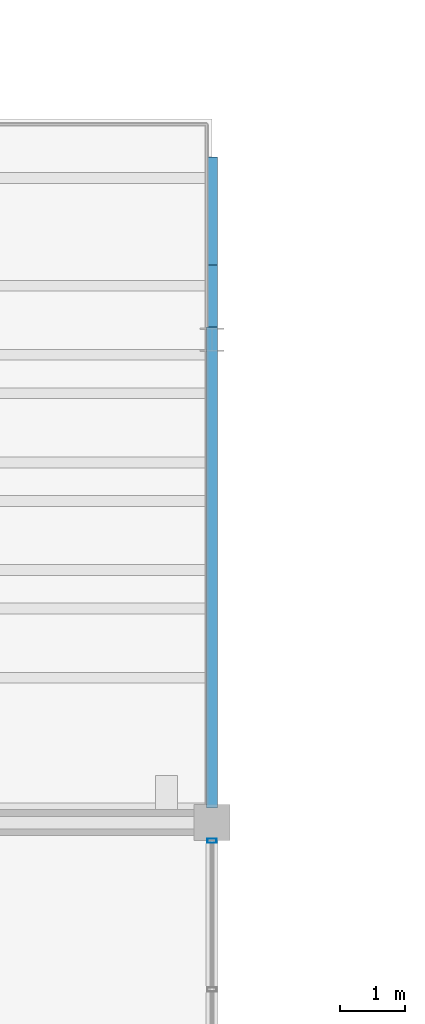
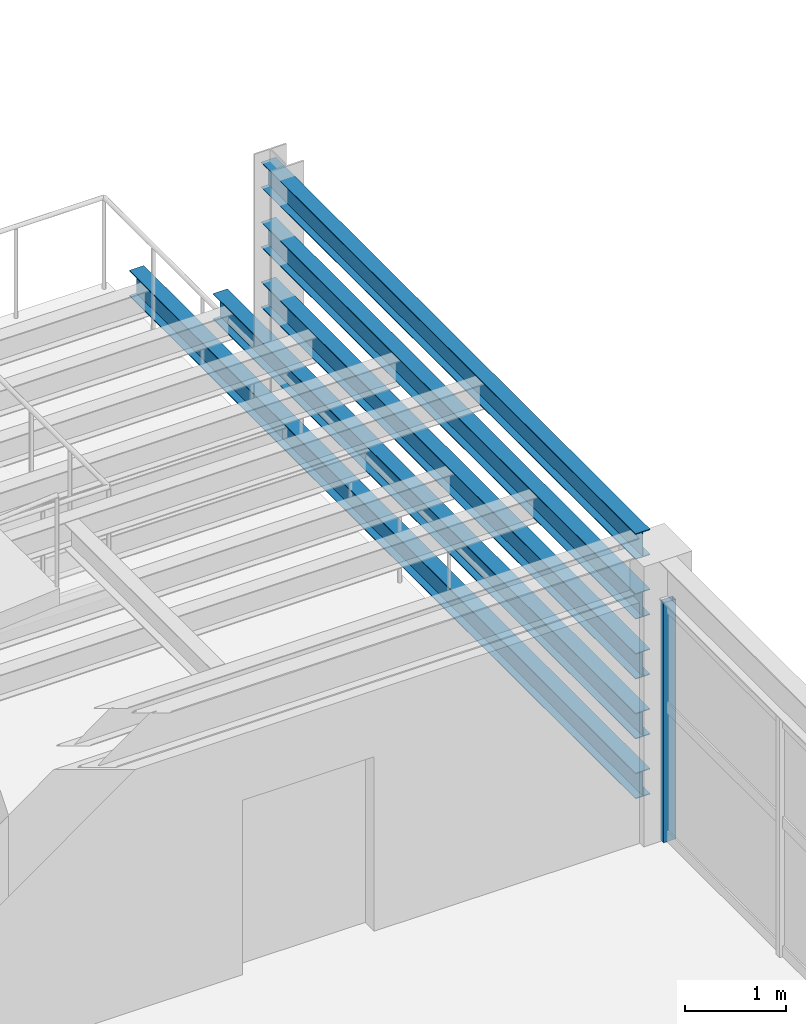
# One storey, part 91 of 121: 5 beams, 1 member, 1 element without a shape of its own.
"""IFC4 building model written with IfcOpenShell, lengths in metres."""

import ifcopenshell
import ifcopenshell.guid

model = None  # the IFC model being written
_history = None  # IfcOwnerHistory: only IFC2X3 demands one
_inside = {}  # id of a spatial element -> (the spatial element, [elements in it])
_under = {}  # id of a project, library or spatial element -> (it, [spatial elements below it])
_declared = {}  # id of a project -> (the project, [libraries it declares])
_typed = {}  # id of a type object -> (the type object, [elements of that type])
_made_of = {}  # id of a material, layer set ... -> (it, [elements and type objects made of it])


def new_model(schema):
    """Start an empty IFC model of exactly this schema.

    Asked for "IFC4X3", IfcOpenShell would pick the latest addendum, in which some entities
    have other attributes; the version numbers below select the first issue.
    IFC2X3 requires an IfcOwnerHistory on every rooted entity: one is made here for all.
    """
    global model, _history
    if schema == "IFC4X3":
        model = ifcopenshell.file(schema_version=(4, 3, 0, 0))
    else:
        model = ifcopenshell.file(schema=schema)
    _inside.clear()
    _under.clear()
    _declared.clear()
    _typed.clear()
    _made_of.clear()
    _history = None
    if model.schema == "IFC2X3":
        org = make("IfcOrganization", Name="unknown")
        user = make(
            "IfcPersonAndOrganization",
            ThePerson=make("IfcPerson", FamilyName="unknown"),
            TheOrganization=org,
        )
        app = make(
            "IfcApplication",
            ApplicationDeveloper=org,
            Version="unknown",
            ApplicationFullName="unknown",
            ApplicationIdentifier="unknown",
        )
        _history = make(
            "IfcOwnerHistory",
            OwningUser=user,
            OwningApplication=app,
            ChangeAction="ADDED",
            CreationDate=0,
        )
    return model


def make(cls, **values):
    """One entity of the class cls with the attributes given. An attribute that is None is left unset."""
    return model.create_entity(
        cls, **{name: value for name, value in values.items() if value is not None}
    )


def rooted(cls, **values):
    """An entity with a GlobalId (a new one), such as an element, a storey or a relation."""
    return make(cls, GlobalId=ifcopenshell.guid.new(), OwnerHistory=_history, **values)


def si_unit(unit_type, name, prefix=None):
    """IfcSIUnit, for example si_unit("LENGTHUNIT", "METRE", prefix="MILLI")."""
    return make("IfcSIUnit", UnitType=unit_type, Prefix=prefix, Name=name)


def assignment(units):
    """IfcUnitAssignment: the units of a project."""
    return None if units is None else make("IfcUnitAssignment", Units=units)


def point(xyz):
    """IfcCartesianPoint."""
    return None if xyz is None else make("IfcCartesianPoint", Coordinates=xyz)


def direction(xyz):
    """IfcDirection."""
    return None if xyz is None else make("IfcDirection", DirectionRatios=xyz)


def frame(location, z_axis=None, x_axis=None):
    """IfcAxis2Placement3D, a coordinate frame: its origin and axes. An axis left out is left unset."""
    return make(
        "IfcAxis2Placement3D",
        Location=point(location),
        Axis=direction(z_axis),
        RefDirection=direction(x_axis),
    )


def frame_2d(location, x_axis=None):
    """IfcAxis2Placement2D, a coordinate frame in the plane: its origin and x axis."""
    return make(
        "IfcAxis2Placement2D", Location=point(location), RefDirection=direction(x_axis)
    )


def origin():
    """The frame at (0, 0, 0) with its axes left unset."""
    return frame((0.0, 0.0, 0.0))


def origin_2d():
    """The frame at (0, 0) in the plane with its x axis left unset."""
    return frame_2d((0.0, 0.0))


def place(relative_to, where):
    """IfcLocalPlacement: puts the frame where relative to a parent placement (None: the world)."""
    return make(
        "IfcLocalPlacement", PlacementRelTo=relative_to, RelativePlacement=where
    )


def context(
    kind, dimensions, precision=None, world=None, true_north=None, identifier=None
):
    """IfcGeometricRepresentationContext, for example the 3D "Model" context."""
    return make(
        "IfcGeometricRepresentationContext",
        ContextIdentifier=identifier,
        ContextType=kind,
        CoordinateSpaceDimension=dimensions,
        Precision=precision,
        WorldCoordinateSystem=world,
        TrueNorth=true_north,
    )


def subcontext(parent, identifier, kind, view, scale=None):
    """IfcGeometricRepresentationSubContext, for example "Body" below "Model"."""
    return make(
        "IfcGeometricRepresentationSubContext",
        ContextIdentifier=identifier,
        ContextType=kind,
        ParentContext=parent,
        TargetScale=scale,
        TargetView=view,
    )


def project(units=None, contexts=None):
    """IfcProject with its units and contexts."""
    return rooted(
        "IfcProject",
        Name="project",
        RepresentationContexts=contexts,
        UnitsInContext=assignment(units),
    )


def spatial(cls, under=None, at=None, **own):
    """A site, building, storey or space (cls), placed at a placement, below another one or the project."""
    s = rooted(cls, ObjectPlacement=at, **own)
    if under is not None:
        _under.setdefault(under.id(), (under, []))[1].append(s)
    return s


def profile(cls, at=None, kind="AREA", **sizes):
    """A parametric profile (cls). Its sizes go by their IFC names, for example OverallWidth=200.0."""
    return make(cls, ProfileType=kind, Position=at, **sizes)


def hollow_rectangle(**sizes):
    """IfcRectangleHollowProfileDef."""
    return profile("IfcRectangleHollowProfileDef", **sizes)


def i_section(**sizes):
    """IfcIShapeProfileDef."""
    return profile("IfcIShapeProfileDef", **sizes)


def extrude(swept, where, along, depth):
    """IfcExtrudedAreaSolid: the profile swept, set in the frame where, extruded along a direction by depth."""
    return make(
        "IfcExtrudedAreaSolid",
        SweptArea=swept,
        Position=where,
        ExtrudedDirection=direction(along),
        Depth=depth,
    )


def shape(context_of_items, identifier, shape_type, items):
    """IfcShapeRepresentation: the items that make up one representation, for example the "Body"."""
    return make(
        "IfcShapeRepresentation",
        ContextOfItems=context_of_items,
        RepresentationIdentifier=identifier,
        RepresentationType=shape_type,
        Items=items,
    )


def material(Name=None, Category=None):
    """IfcMaterial."""
    return make("IfcMaterial", Name=Name, Category=Category)


def material_profile(
    of_material, cross_section, Name=None, Category=None, Priority=None
):
    """IfcMaterialProfile: a cross section and its material."""
    return make(
        "IfcMaterialProfile",
        Name=Name,
        Material=of_material,
        Profile=cross_section,
        Priority=Priority,
        Category=Category,
    )


def profile_set(profiles, Name=None, composite=None):
    """IfcMaterialProfileSet."""
    return make(
        "IfcMaterialProfileSet",
        Name=Name,
        MaterialProfiles=profiles,
        CompositeProfile=composite,
    )


def made_of(thing, what):
    """Note that an element or type object is made of a material, layer set ...; save() writes the relation."""
    if what is not None:
        _made_of.setdefault(what.id(), (what, []))[1].append(thing)
    return thing


def type_object(cls, material=None, **own):
    """A type object (cls), such as IfcWallType, which elements share."""
    return made_of(rooted(cls, **own), material)


def element(
    cls,
    number,
    at=None,
    inside=None,
    cuts=None,
    type_object=None,
    material=None,
    context=None,
    identifier="Body",
    shape_type=None,
    held_by="IfcProductDefinitionShape",
    body=None,
    shapes=None,
    **own,
):
    """One element of the class cls, such as IfcWall. Its Tag is "e" and its number.

    at: its placement. inside: the storey or other place that contains it. cuts: it is an
    opening in that element (IfcRelVoidsElement). A single representation is given by context,
    identifier, shape_type and body (its items); several are given by shapes. held_by: the class
    of the entity that holds the representations. save() writes the other relations.
    """
    e = rooted(cls, Tag="e%d" % number, ObjectPlacement=at, **own)
    if body is not None:
        shapes = [shape(context, identifier, shape_type, body)]
    if shapes is not None:
        e.Representation = make(held_by, Representations=shapes)
    if inside is not None:
        _inside.setdefault(inside.id(), (inside, []))[1].append(e)
    if cuts is not None:
        rooted(
            "IfcRelVoidsElement", RelatingBuildingElement=cuts, RelatedOpeningElement=e
        )
    if type_object is not None:
        _typed.setdefault(type_object.id(), (type_object, []))[1].append(e)
    return made_of(e, material)


def aggregate(whole, parts):
    """IfcRelAggregates: a whole, such as a stair, and the parts it consists of."""
    return rooted("IfcRelAggregates", RelatingObject=whole, RelatedObjects=parts)


def save(model, path):
    """Write the relations noted so far, then the file.

    IfcRelAggregates (storeys below a building ...), IfcRelContainedInSpatialStructure (elements
    in a storey), IfcRelDefinesByType, IfcRelAssociatesMaterial and IfcRelDeclares: one each for
    every whole, place, type object, material and project.
    """
    for whole, parts in _under.values():
        aggregate(whole, parts)
    for where, things in _inside.values():
        rooted(
            "IfcRelContainedInSpatialStructure",
            RelatedElements=things,
            RelatingStructure=where,
        )
    for kind, things in _typed.values():
        rooted("IfcRelDefinesByType", RelatedObjects=things, RelatingType=kind)
    for what, things in _made_of.values():
        rooted("IfcRelAssociatesMaterial", RelatedObjects=things, RelatingMaterial=what)
    for by, libraries in _declared.values():
        rooted("IfcRelDeclares", RelatingContext=by, RelatedDefinitions=libraries)
    model.write(path)


model = new_model("IFC4")

# Units and contexts
model_context = context("Model", 3, precision=1e-05, world=origin(), true_north=direction((0.0, 1.0)))
body_context = subcontext(model_context, "Body", "Model", "MODEL_VIEW")
ifc_project = project(units=[si_unit("LENGTHUNIT", "METRE"), si_unit("AREAUNIT", "SQUARE_METRE"), si_unit("VOLUMEUNIT", "CUBIC_METRE"), si_unit("PLANEANGLEUNIT", "RADIAN"), si_unit("MASSUNIT", "GRAM", prefix="KILO")], contexts=[model_context])

# Site, building, storey
site_placement = place(None, origin())
site = spatial("IfcSite", under=ifc_project, at=site_placement, CompositionType="ELEMENT")
building_placement = place(site_placement, origin())
building = spatial("IfcBuilding", under=site, at=building_placement, Name="Cimatlan Art Gallery", CompositionType="ELEMENT")
storey_placement = place(building_placement, frame((0.0, 0.0, 10.199951171875)))
storey = spatial("IfcBuildingStorey", under=building, at=storey_placement, Name="L02", CompositionType="ELEMENT", Elevation=10.199951171875)

# Beams
ifc_material_1 = material(Name="Steel ASTM A992 Grade 50", Category="steel")
ifc_material_profile_1 = material_profile(ifc_material_1, i_section(OverallWidth=0.1650390625, OverallDepth=0.31005859375, WebThickness=0.005859375, FlangeThickness=0.009765625, at=origin_2d()), Name="W12X26")
ifc_profile_set_1 = profile_set([ifc_material_profile_1], Name="Steel ASTM A992 Grade 50")
beam_type = type_object("IfcBeamType", Name="BM-STL-W12X26", PredefinedType="JOIST", material=ifc_profile_set_1)
beam_1_placement = place(storey_placement, frame((131.60009765625, 83.320068359375, 0.364990234375), z_axis=(0.0, 1.0, 0.0), x_axis=(-1.0, 0.0, 0.0)))
element("IfcBeam", 1, at=beam_1_placement, inside=storey, type_object=beam_type, Name="BM-RMP-TER-B4-L1-NSE", PredefinedType="JOIST", context=body_context, shape_type="SweptSolid", body=[
    extrude(i_section(OverallWidth=0.1650390625, OverallDepth=0.31005859375, WebThickness=0.005859375, FlangeThickness=0.009765625, at=origin_2d()), origin(), (0.0, 0.0, 1.0), 9.97998046875),
])
beam_2_placement = place(storey_placement, frame((131.60009765625, 83.320068359375, 1.0849609375), z_axis=(0.0, 1.0, 0.0), x_axis=(-1.0, 0.0, 0.0)))
element("IfcBeam", 2, at=beam_2_placement, inside=storey, type_object=beam_type, Name="BM-RMP-TER-B4-L2-NSE", PredefinedType="JOIST", context=body_context, shape_type="SweptSolid", body=[
    extrude(i_section(OverallWidth=0.1650390625, OverallDepth=0.31005859375, WebThickness=0.005859375, FlangeThickness=0.009765625, at=origin_2d()), origin(), (0.0, 0.0, 1.0), 8.329833984375),
])
for number, where, z_axis, x_axis, name in (
    (3, (131.60009765625, 83.320068359375, 1.804931640625), (0.0, 1.0, 0.0), (-1.0, 0.0, 0.0), "BM-RMP-TER-B4-L3-NSE"),
    (4, (131.60009765625, 83.320068359375, 2.525146484375), (0.0, 1.0, 0.0), (-1.0, 0.0, 0.0), "BM-RMP-TER-B4-L4-NSE"),
    (5, (131.60009765625, 83.320068359375, 3.2451171875), (0.0, 1.0, 0.0), (-1.0, 0.0, 0.0), "BM-RMP-TER-B4-L5-NSE"),
):
    element("IfcBeam", number, at=place(storey_placement, frame(where, z_axis=z_axis, x_axis=x_axis)), inside=storey, type_object=beam_type, Name=name, PredefinedType="JOIST", context=body_context, shape_type="SweptSolid", body=[
        extrude(i_section(OverallWidth=0.1650390625, OverallDepth=0.31005859375, WebThickness=0.005859375, FlangeThickness=0.009765625, at=origin_2d()), origin(), (0.0, 0.0, 1.0), 7.3798828125),
    ])

# Curtain wall, member
ifc_material_2 = material(Name="Anodised bronze unitised curtain wall")
curtain_wall_type = type_object("IfcCurtainWallType", Name="CW-V-06842X02883-B3", PredefinedType="NOTDEFINED", material=ifc_material_2)
curtain_wall_placement = place(storey_placement, origin())
curtain_wall = element("IfcCurtainWall", 6, at=curtain_wall_placement, inside=storey, type_object=curtain_wall_type, Name="CW-L02-15-10-E", PredefinedType="NOTDEFINED")
ifc_material_3 = material(Name="Anodised bronze aluminium 6063-T6", Category="aluminium")
ifc_material_profile_2 = material_profile(ifc_material_3, hollow_rectangle(XDim=0.06494140625, YDim=0.139892578125, WallThickness=0.00390625, at=origin_2d()), Name="ALU65X140X4")
ifc_profile_set_2 = profile_set([ifc_material_profile_2], Name="Anodised bronze aluminium 6063-T6")
member_type = type_object("IfcMemberType", Name="CW-MUL-140", PredefinedType="MULLION", material=ifc_profile_set_2)
member_placement = place(storey_placement, frame((131.60009765625, 82.821044921875, 0.0), z_axis=(0.0, 0.0, 1.0), x_axis=(0.0, 1.0, 0.0)))
member = element("IfcMember", 7, at=member_placement, type_object=member_type, Name="CW-L02-15-10-E-M1", PredefinedType="MULLION", context=body_context, shape_type="SweptSolid", body=[
    extrude(hollow_rectangle(XDim=0.06494140625, YDim=0.139892578125, WallThickness=0.00390625, at=origin_2d()), origin(), (0.0, 0.0, 1.0), 2.883056640625),
])
aggregate(curtain_wall, [member])

save(model, "model.ifc")
